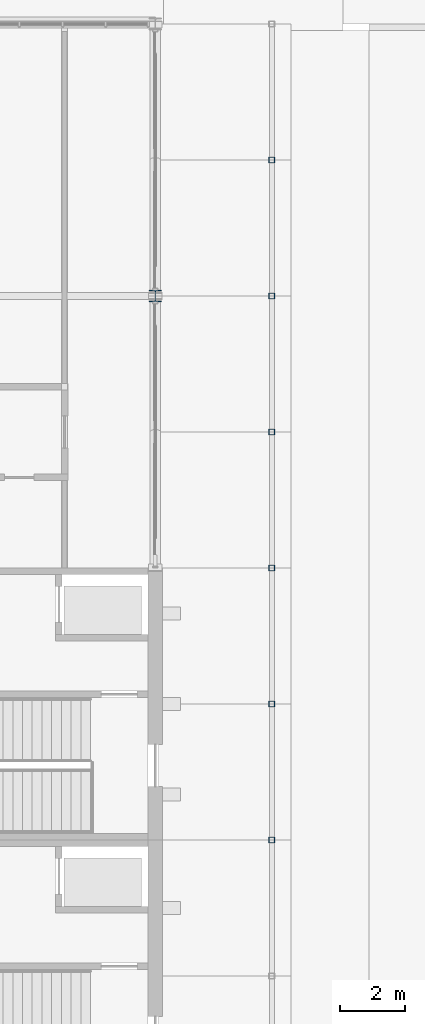
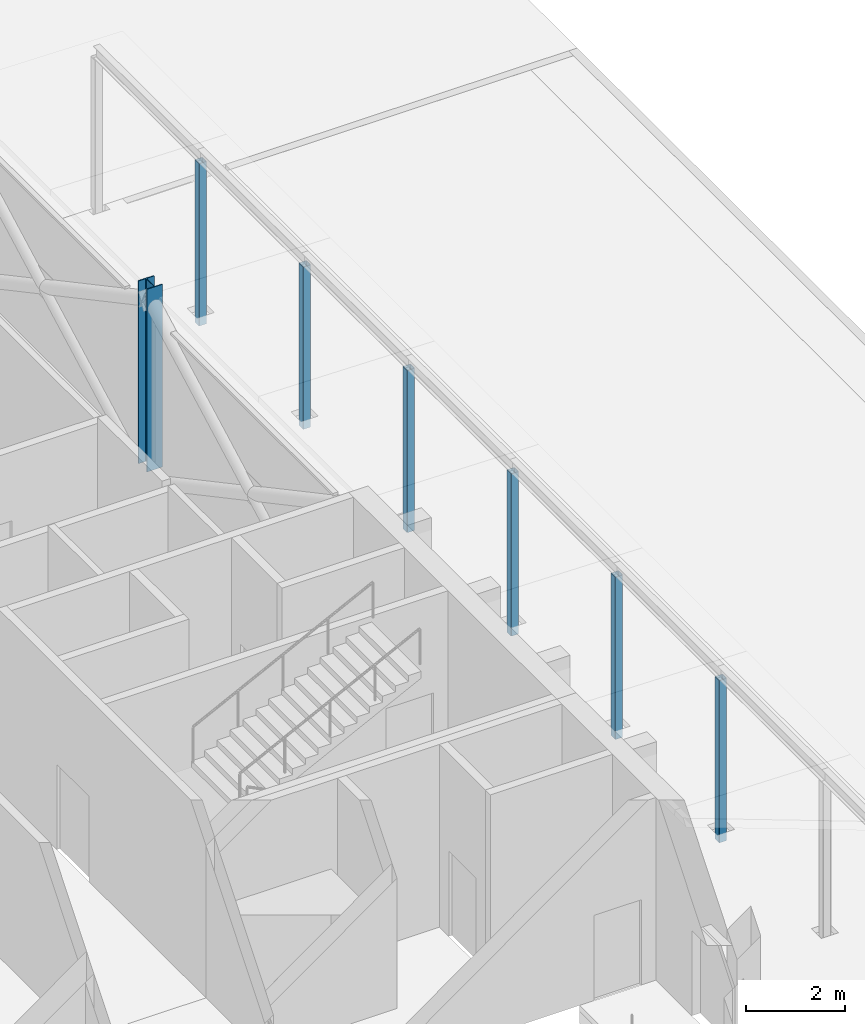
# One storey, part 19 of 116: 7 columns.
"""IFC4 building model written with IfcOpenShell, lengths in metres."""

import ifcopenshell
import ifcopenshell.guid

model = None  # the IFC model being written
_history = None  # IfcOwnerHistory: only IFC2X3 demands one
_inside = {}  # id of a spatial element -> (the spatial element, [elements in it])
_under = {}  # id of a project, library or spatial element -> (it, [spatial elements below it])
_declared = {}  # id of a project -> (the project, [libraries it declares])
_typed = {}  # id of a type object -> (the type object, [elements of that type])
_made_of = {}  # id of a material, layer set ... -> (it, [elements and type objects made of it])


def new_model(schema):
    """Start an empty IFC model of exactly this schema.

    Asked for "IFC4X3", IfcOpenShell would pick the latest addendum, in which some entities
    have other attributes; the version numbers below select the first issue.
    IFC2X3 requires an IfcOwnerHistory on every rooted entity: one is made here for all.
    """
    global model, _history
    if schema == "IFC4X3":
        model = ifcopenshell.file(schema_version=(4, 3, 0, 0))
    else:
        model = ifcopenshell.file(schema=schema)
    _inside.clear()
    _under.clear()
    _declared.clear()
    _typed.clear()
    _made_of.clear()
    _history = None
    if model.schema == "IFC2X3":
        org = make("IfcOrganization", Name="unknown")
        user = make(
            "IfcPersonAndOrganization",
            ThePerson=make("IfcPerson", FamilyName="unknown"),
            TheOrganization=org,
        )
        app = make(
            "IfcApplication",
            ApplicationDeveloper=org,
            Version="unknown",
            ApplicationFullName="unknown",
            ApplicationIdentifier="unknown",
        )
        _history = make(
            "IfcOwnerHistory",
            OwningUser=user,
            OwningApplication=app,
            ChangeAction="ADDED",
            CreationDate=0,
        )
    return model


def make(cls, **values):
    """One entity of the class cls with the attributes given. An attribute that is None is left unset."""
    return model.create_entity(
        cls, **{name: value for name, value in values.items() if value is not None}
    )


def rooted(cls, **values):
    """An entity with a GlobalId (a new one), such as an element, a storey or a relation."""
    return make(cls, GlobalId=ifcopenshell.guid.new(), OwnerHistory=_history, **values)


def si_unit(unit_type, name, prefix=None):
    """IfcSIUnit, for example si_unit("LENGTHUNIT", "METRE", prefix="MILLI")."""
    return make("IfcSIUnit", UnitType=unit_type, Prefix=prefix, Name=name)


def assignment(units):
    """IfcUnitAssignment: the units of a project."""
    return None if units is None else make("IfcUnitAssignment", Units=units)


def point(xyz):
    """IfcCartesianPoint."""
    return None if xyz is None else make("IfcCartesianPoint", Coordinates=xyz)


def direction(xyz):
    """IfcDirection."""
    return None if xyz is None else make("IfcDirection", DirectionRatios=xyz)


def frame(location, z_axis=None, x_axis=None):
    """IfcAxis2Placement3D, a coordinate frame: its origin and axes. An axis left out is left unset."""
    return make(
        "IfcAxis2Placement3D",
        Location=point(location),
        Axis=direction(z_axis),
        RefDirection=direction(x_axis),
    )


def frame_2d(location, x_axis=None):
    """IfcAxis2Placement2D, a coordinate frame in the plane: its origin and x axis."""
    return make(
        "IfcAxis2Placement2D", Location=point(location), RefDirection=direction(x_axis)
    )


def origin():
    """The frame at (0, 0, 0) with its axes left unset."""
    return frame((0.0, 0.0, 0.0))


def origin_2d():
    """The frame at (0, 0) in the plane with its x axis left unset."""
    return frame_2d((0.0, 0.0))


def place(relative_to, where):
    """IfcLocalPlacement: puts the frame where relative to a parent placement (None: the world)."""
    return make(
        "IfcLocalPlacement", PlacementRelTo=relative_to, RelativePlacement=where
    )


def context(
    kind, dimensions, precision=None, world=None, true_north=None, identifier=None
):
    """IfcGeometricRepresentationContext, for example the 3D "Model" context."""
    return make(
        "IfcGeometricRepresentationContext",
        ContextIdentifier=identifier,
        ContextType=kind,
        CoordinateSpaceDimension=dimensions,
        Precision=precision,
        WorldCoordinateSystem=world,
        TrueNorth=true_north,
    )


def subcontext(parent, identifier, kind, view, scale=None):
    """IfcGeometricRepresentationSubContext, for example "Body" below "Model"."""
    return make(
        "IfcGeometricRepresentationSubContext",
        ContextIdentifier=identifier,
        ContextType=kind,
        ParentContext=parent,
        TargetScale=scale,
        TargetView=view,
    )


def project(units=None, contexts=None):
    """IfcProject with its units and contexts."""
    return rooted(
        "IfcProject",
        Name="project",
        RepresentationContexts=contexts,
        UnitsInContext=assignment(units),
    )


def spatial(cls, under=None, at=None, **own):
    """A site, building, storey or space (cls), placed at a placement, below another one or the project."""
    s = rooted(cls, ObjectPlacement=at, **own)
    if under is not None:
        _under.setdefault(under.id(), (under, []))[1].append(s)
    return s


def profile(cls, at=None, kind="AREA", **sizes):
    """A parametric profile (cls). Its sizes go by their IFC names, for example OverallWidth=200.0."""
    return make(cls, ProfileType=kind, Position=at, **sizes)


def hollow_rectangle(**sizes):
    """IfcRectangleHollowProfileDef."""
    return profile("IfcRectangleHollowProfileDef", **sizes)


def i_section(**sizes):
    """IfcIShapeProfileDef."""
    return profile("IfcIShapeProfileDef", **sizes)


def extrude(swept, where, along, depth):
    """IfcExtrudedAreaSolid: the profile swept, set in the frame where, extruded along a direction by depth."""
    return make(
        "IfcExtrudedAreaSolid",
        SweptArea=swept,
        Position=where,
        ExtrudedDirection=direction(along),
        Depth=depth,
    )


def shape(context_of_items, identifier, shape_type, items):
    """IfcShapeRepresentation: the items that make up one representation, for example the "Body"."""
    return make(
        "IfcShapeRepresentation",
        ContextOfItems=context_of_items,
        RepresentationIdentifier=identifier,
        RepresentationType=shape_type,
        Items=items,
    )


def material(Name=None, Category=None):
    """IfcMaterial."""
    return make("IfcMaterial", Name=Name, Category=Category)


def material_profile(
    of_material, cross_section, Name=None, Category=None, Priority=None
):
    """IfcMaterialProfile: a cross section and its material."""
    return make(
        "IfcMaterialProfile",
        Name=Name,
        Material=of_material,
        Profile=cross_section,
        Priority=Priority,
        Category=Category,
    )


def profile_set(profiles, Name=None, composite=None):
    """IfcMaterialProfileSet."""
    return make(
        "IfcMaterialProfileSet",
        Name=Name,
        MaterialProfiles=profiles,
        CompositeProfile=composite,
    )


def made_of(thing, what):
    """Note that an element or type object is made of a material, layer set ...; save() writes the relation."""
    if what is not None:
        _made_of.setdefault(what.id(), (what, []))[1].append(thing)
    return thing


def type_object(cls, material=None, **own):
    """A type object (cls), such as IfcWallType, which elements share."""
    return made_of(rooted(cls, **own), material)


def element(
    cls,
    number,
    at=None,
    inside=None,
    cuts=None,
    type_object=None,
    material=None,
    context=None,
    identifier="Body",
    shape_type=None,
    held_by="IfcProductDefinitionShape",
    body=None,
    shapes=None,
    **own,
):
    """One element of the class cls, such as IfcWall. Its Tag is "e" and its number.

    at: its placement. inside: the storey or other place that contains it. cuts: it is an
    opening in that element (IfcRelVoidsElement). A single representation is given by context,
    identifier, shape_type and body (its items); several are given by shapes. held_by: the class
    of the entity that holds the representations. save() writes the other relations.
    """
    e = rooted(cls, Tag="e%d" % number, ObjectPlacement=at, **own)
    if body is not None:
        shapes = [shape(context, identifier, shape_type, body)]
    if shapes is not None:
        e.Representation = make(held_by, Representations=shapes)
    if inside is not None:
        _inside.setdefault(inside.id(), (inside, []))[1].append(e)
    if cuts is not None:
        rooted(
            "IfcRelVoidsElement", RelatingBuildingElement=cuts, RelatedOpeningElement=e
        )
    if type_object is not None:
        _typed.setdefault(type_object.id(), (type_object, []))[1].append(e)
    return made_of(e, material)


def aggregate(whole, parts):
    """IfcRelAggregates: a whole, such as a stair, and the parts it consists of."""
    return rooted("IfcRelAggregates", RelatingObject=whole, RelatedObjects=parts)


def save(model, path):
    """Write the relations noted so far, then the file.

    IfcRelAggregates (storeys below a building ...), IfcRelContainedInSpatialStructure (elements
    in a storey), IfcRelDefinesByType, IfcRelAssociatesMaterial and IfcRelDeclares: one each for
    every whole, place, type object, material and project.
    """
    for whole, parts in _under.values():
        aggregate(whole, parts)
    for where, things in _inside.values():
        rooted(
            "IfcRelContainedInSpatialStructure",
            RelatedElements=things,
            RelatingStructure=where,
        )
    for kind, things in _typed.values():
        rooted("IfcRelDefinesByType", RelatedObjects=things, RelatingType=kind)
    for what, things in _made_of.values():
        rooted("IfcRelAssociatesMaterial", RelatedObjects=things, RelatingMaterial=what)
    for by, libraries in _declared.values():
        rooted("IfcRelDeclares", RelatingContext=by, RelatedDefinitions=libraries)
    model.write(path)


model = new_model("IFC4")

# Units and contexts
model_context = context("Model", 3, precision=1e-05, world=origin(), true_north=direction((0.0, 1.0)))
body_context = subcontext(model_context, "Body", "Model", "MODEL_VIEW")
ifc_project = project(units=[si_unit("LENGTHUNIT", "METRE"), si_unit("AREAUNIT", "SQUARE_METRE"), si_unit("VOLUMEUNIT", "CUBIC_METRE"), si_unit("PLANEANGLEUNIT", "RADIAN"), si_unit("MASSUNIT", "GRAM", prefix="KILO")], contexts=[model_context])

# Site, building, storey
site_placement = place(None, origin())
site = spatial("IfcSite", under=ifc_project, at=site_placement, CompositionType="ELEMENT")
building_placement = place(site_placement, origin())
building = spatial("IfcBuilding", under=site, at=building_placement, Name="Ardhachandra Cancer Care Centre", CompositionType="ELEMENT")
storey_placement = place(building_placement, origin())
storey = spatial("IfcBuildingStorey", under=building, at=storey_placement, Name="L00", CompositionType="ELEMENT", Elevation=0.0)

# Columns
ifc_material_1 = material(Name="Steel E350 (IS 2062)", Category="steel")
ifc_material_profile_1 = material_profile(ifc_material_1, hollow_rectangle(XDim=0.179931640625, YDim=0.179931640625, WallThickness=0.008056640625, InnerFilletRadius=0.008056640625, OuterFilletRadius=0.01611328125, at=origin_2d()), Name="SHS 180x180x8.0")
ifc_profile_set_1 = profile_set([ifc_material_profile_1], Name="Steel E350 (IS 2062)")
column_type_1 = type_object("IfcColumnType", Name="Arcade column SHS 180x180x8.0", PredefinedType="COLUMN", material=ifc_profile_set_1)
for number, where, z_axis, x_axis, name in (
    (1, (148.800048828125, 79.800048828125, -0.300048828125), (0.0, 0.0, 1.0), (1.0, 0.0, 0.0), "Arcade column 13"),
    (2, (148.800048828125, 84.0, -0.300048828125), (0.0, 0.0, 1.0), (1.0, 0.0, 0.0), "Arcade column 14"),
    (3, (148.800048828125, 88.199951171875, -0.300048828125), (0.0, 0.0, 1.0), (1.0, 0.0, 0.0), "Arcade column 15"),
    (4, (148.800048828125, 92.39990234375, -0.300048828125), (0.0, 0.0, 1.0), (1.0, 0.0, 0.0), "Arcade column 16"),
    (5, (148.800048828125, 96.60009765625, -0.300048828125), (0.0, 0.0, 1.0), (1.0, 0.0, 0.0), "Arcade column 17"),
    (6, (148.800048828125, 100.800048828125, -0.300048828125), (0.0, 0.0, 1.0), (1.0, 0.0, 0.0), "Arcade column 18"),
):
    element("IfcColumn", number, at=place(storey_placement, frame(where, z_axis=z_axis, x_axis=x_axis)), inside=storey, type_object=column_type_1, Name=name, PredefinedType="COLUMN", context=body_context, shape_type="SweptSolid", body=[
        extrude(hollow_rectangle(XDim=0.179931640625, YDim=0.179931640625, WallThickness=0.008056640625, InnerFilletRadius=0.008056640625, OuterFilletRadius=0.01611328125, at=origin_2d()), origin(), (0.0, 0.0, 1.0), 3.996826171875),
    ])
ifc_material_2 = material(Name="Steel E350 (IS 2062)", Category="steel")
ifc_material_profile_2 = material_profile(ifc_material_2, i_section(OverallWidth=0.37109375, OverallDepth=0.364013671875, WebThickness=0.01318359375, FlangeThickness=0.021728515625, FilletRadius=0.027099609375, at=origin_2d()), Name="WPB 360x370x165.34")
ifc_profile_set_2 = profile_set([ifc_material_profile_2], Name="Steel E350 (IS 2062)")
column_type_2 = type_object("IfcColumnType", Name="Column WPB 360x370x165.34", PredefinedType="COLUMN", material=ifc_profile_set_2)
column_placement = place(storey_placement, frame((145.199951171875, 96.60009765625, 0.0), z_axis=(0.0, 0.0, 1.0), x_axis=(1.0, 0.0, 0.0)))
element("IfcColumn", 7, at=column_placement, inside=storey, type_object=column_type_2, Name="Column L17 L00", PredefinedType="COLUMN", context=body_context, shape_type="SweptSolid", body=[
    extrude(i_section(OverallWidth=0.37109375, OverallDepth=0.364013671875, WebThickness=0.01318359375, FlangeThickness=0.021728515625, FilletRadius=0.027099609375, at=origin_2d()), origin(), (0.0, 0.0, 1.0), 4.5),
])

save(model, "model.ifc")
